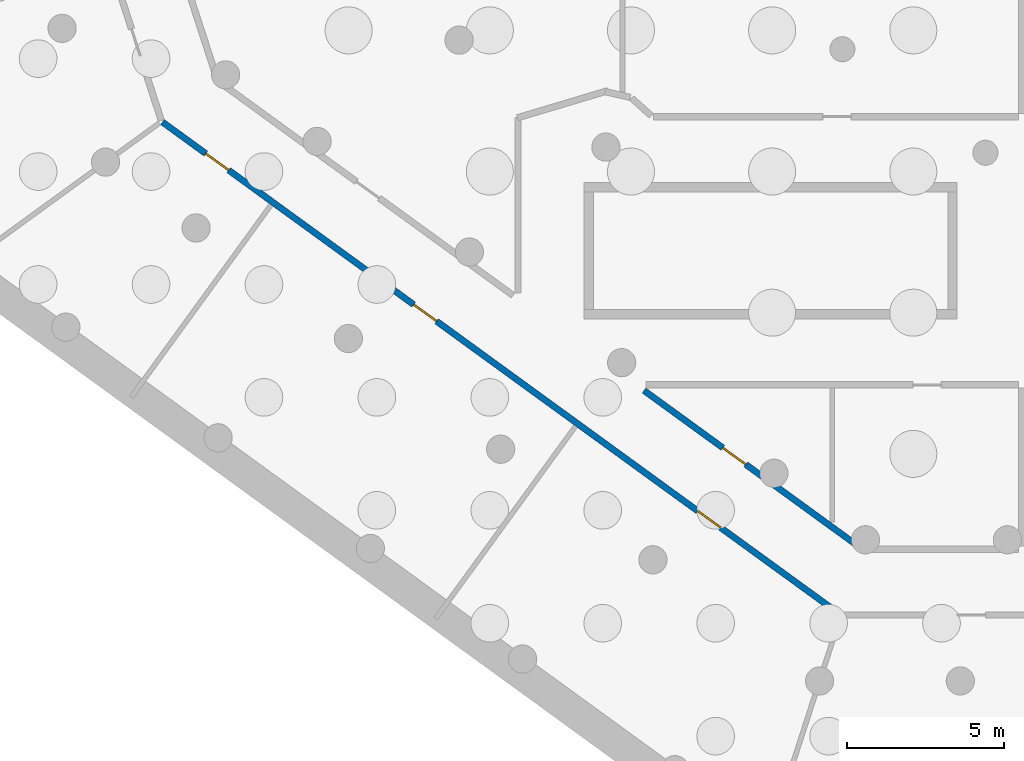
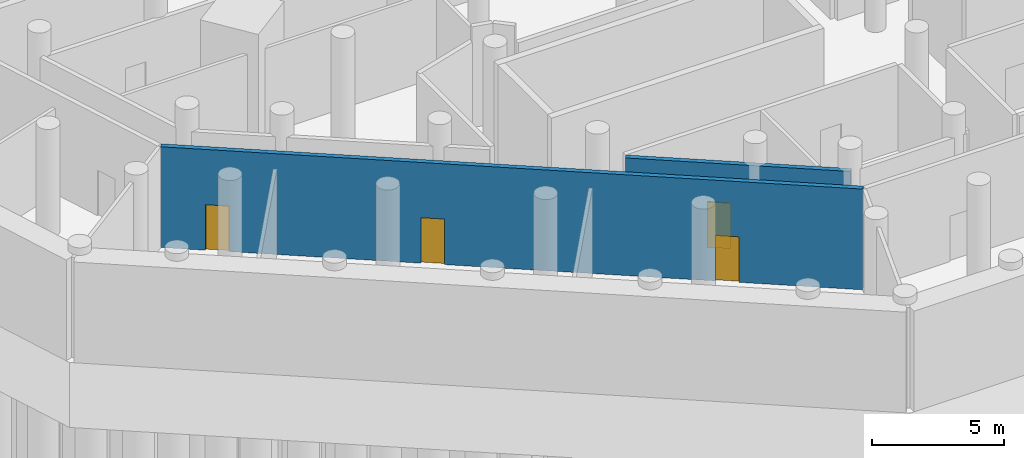
# One storey, part 3 of 12: 4 doors, 2 walls, 4 openings.
"""IFC4 building model written with IfcOpenShell, lengths in metres."""

from ifc_helpers import new_model, si_unit, direction, frame, frame_2d, origin, place, context, subcontext, project, spatial, rectangle, extrude, material, layer, layer_set, type_object, element, fill, save


model = new_model("IFC4")

# Units and contexts
model_context = context("Model", 3, precision=1e-05, world=origin(), true_north=direction((0.0, 1.0)))
body_context = subcontext(model_context, "Body", "Model", "MODEL_VIEW")
ifc_project = project(units=[si_unit("LENGTHUNIT", "METRE"), si_unit("AREAUNIT", "SQUARE_METRE"), si_unit("VOLUMEUNIT", "CUBIC_METRE"), si_unit("PLANEANGLEUNIT", "RADIAN"), si_unit("MASSUNIT", "GRAM", prefix="KILO")], contexts=[model_context])

# Site, building, storey
site_placement = place(None, origin())
site = spatial("IfcSite", under=ifc_project, at=site_placement, CompositionType="ELEMENT")
building_placement = place(site_placement, origin())
building = spatial("IfcBuilding", under=site, at=building_placement, Name="White Candle Pilgrim Tower", CompositionType="ELEMENT")
storey_placement = place(building_placement, frame((0.0, 0.0, -10.0)))
storey = spatial("IfcBuildingStorey", under=building, at=storey_placement, Name="B2", CompositionType="ELEMENT", Elevation=-10.0)

# Wall, openings, doors
ifc_material_1 = material(Name="Gypsum board on steel studs", Category="steel")
ifc_layer = layer(ifc_material_1, 0.199951171875)
ifc_layer_set = layer_set([ifc_layer], Name="Corridor wall 200 mm EI 45")
wall_type = type_object("IfcWallType", Name="Corridor wall 200 mm EI 45", PredefinedType="PARTITIONING", material=ifc_layer_set)
wall_1_placement = place(storey_placement, frame((63.170166015625, 31.880126953125, 0.0), z_axis=(0.0, 0.0, 1.0), x_axis=(-0.809016646189, 0.587785731529, 0.0)))
wall_1 = element("IfcWall", 1, at=wall_1_placement, inside=storey, type_object=wall_type, Name="WL-B2-P023", PredefinedType="PARTITIONING", context=body_context, shape_type="SweptSolid", body=[
    extrude(rectangle(XDim=26.708251953125, YDim=0.199951171875, at=frame_2d((13.35400390625, 0.0))), origin(), (0.0, 0.0, 1.0), 4.64990234375),
])
opening_1_placement = place(wall_1_placement, frame((24.097412109375, 0.0, 0.0)))
opening_1 = element("IfcOpeningElement", 2, at=opening_1_placement, cuts=wall_1, Name="Opening B2-107", PredefinedType="OPENING", context=body_context, shape_type="SweptSolid", body=[
    extrude(rectangle(XDim=0.89990234375, YDim=2.10009765625, at=frame_2d((0.449951171875, 1.050048828125))), frame((0.0, 0.10986328125, 0.0), z_axis=(0.0, -1.0, 0.0), x_axis=(1.0, 0.0, 0.0)), (0.0, 0.0, 1.0), 0.219970703125),
])
opening_2_placement = place(wall_1_placement, frame((15.904052734375, 0.0, 0.0)))
opening_2 = element("IfcOpeningElement", 3, at=opening_2_placement, cuts=wall_1, Name="Opening B2-108", PredefinedType="OPENING", context=body_context, shape_type="SweptSolid", body=[
    extrude(rectangle(XDim=0.89990234375, YDim=2.10009765625, at=frame_2d((0.449951171875, 1.050048828125))), frame((0.0, 0.10986328125, 0.0), z_axis=(0.0, -1.0, 0.0), x_axis=(1.0, 0.0, 0.0)), (0.0, 0.0, 1.0), 0.219970703125),
])
opening_3_placement = place(wall_1_placement, frame((4.710693359375, 0.0, 0.0)))
opening_3 = element("IfcOpeningElement", 4, at=opening_3_placement, cuts=wall_1, Name="Opening B2-109", PredefinedType="OPENING", context=body_context, shape_type="SweptSolid", body=[
    extrude(rectangle(XDim=0.89990234375, YDim=2.10009765625, at=frame_2d((0.449951171875, 1.050048828125))), frame((0.0, 0.10986328125, 0.0), z_axis=(0.0, -1.0, 0.0), x_axis=(1.0, 0.0, 0.0)), (0.0, 0.0, 1.0), 0.219970703125),
])
ifc_material_2 = material(Name="Steel door leaf", Category="steel")
door_type = type_object("IfcDoorType", Name="Fire door 900 x 2100 EI 30", OperationType="NOTDEFINED", PredefinedType="DOOR", material=ifc_material_2)
door_1_placement = place(opening_1_placement, origin())
door_1 = element("IfcDoor", 5, at=door_1_placement, inside=storey, type_object=door_type, Name="Door B2-107", OperationType="SINGLE_SWING_LEFT", OverallHeight=2.10009765625, OverallWidth=0.89990234375, PredefinedType="DOOR", context=body_context, shape_type="SweptSolid", body=[
    extrude(rectangle(XDim=0.89990234375, YDim=2.10009765625, at=frame_2d((0.449951171875, 1.050048828125))), frame((0.0, 0.02490234375, 0.0), z_axis=(0.0, -1.0, 0.0), x_axis=(1.0, 0.0, 0.0)), (0.0, 0.0, 1.0), 0.050048828125),
])
fill(opening_1, door_1)
door_2_placement = place(opening_2_placement, origin())
door_2 = element("IfcDoor", 6, at=door_2_placement, inside=storey, type_object=door_type, Name="Door B2-108", OperationType="SINGLE_SWING_RIGHT", OverallHeight=2.10009765625, OverallWidth=0.89990234375, PredefinedType="DOOR", context=body_context, shape_type="SweptSolid", body=[
    extrude(rectangle(XDim=0.89990234375, YDim=2.10009765625, at=frame_2d((0.449951171875, 1.050048828125))), frame((0.0, 0.02490234375, 0.0), z_axis=(0.0, -1.0, 0.0), x_axis=(1.0, 0.0, 0.0)), (0.0, 0.0, 1.0), 0.050048828125),
])
fill(opening_2, door_2)
door_3_placement = place(opening_3_placement, origin())
door_3 = element("IfcDoor", 7, at=door_3_placement, inside=storey, type_object=door_type, Name="Door B2-109", OperationType="SINGLE_SWING_LEFT", OverallHeight=2.10009765625, OverallWidth=0.89990234375, PredefinedType="DOOR", context=body_context, shape_type="SweptSolid", body=[
    extrude(rectangle(XDim=0.89990234375, YDim=2.10009765625, at=frame_2d((0.449951171875, 1.050048828125))), frame((0.0, 0.02490234375, 0.0), z_axis=(0.0, -1.0, 0.0), x_axis=(1.0, 0.0, 0.0)), (0.0, 0.0, 1.0), 0.050048828125),
])
fill(opening_3, door_3)

# Wall, opening, door
wall_2_placement = place(storey_placement, frame((56.9169921875, 39.01904296875, 0.0), z_axis=(0.0, 0.0, 1.0), x_axis=(0.809015553327, -0.58778723572, 0.0)))
wall_2 = element("IfcWall", 8, at=wall_2_placement, inside=storey, type_object=wall_type, Name="WL-B2-P057", PredefinedType="PARTITIONING", context=body_context, shape_type="SweptSolid", body=[
    extrude(rectangle(XDim=8.572509765625, YDim=0.199951171875, at=frame_2d((4.2861328125, 0.0))), origin(), (0.0, 0.0, 1.0), 3.949951171875),
])
opening_4_placement = place(wall_2_placement, frame((3.106689453125, 0.0, 0.0)))
opening_4 = element("IfcOpeningElement", 9, at=opening_4_placement, cuts=wall_2, Name="Opening B2-134", PredefinedType="OPENING", context=body_context, shape_type="SweptSolid", body=[
    extrude(rectangle(XDim=0.89990234375, YDim=2.10009765625, at=frame_2d((0.449951171875, 1.050048828125))), frame((0.0, 0.10986328125, 0.0), z_axis=(0.0, -1.0, 0.0), x_axis=(1.0, 0.0, 0.0)), (0.0, 0.0, 1.0), 0.219970703125),
])
door_4_placement = place(opening_4_placement, origin())
door_4 = element("IfcDoor", 10, at=door_4_placement, inside=storey, type_object=door_type, Name="Door B2-134", OperationType="SINGLE_SWING_RIGHT", OverallHeight=2.10009765625, OverallWidth=0.89990234375, PredefinedType="DOOR", context=body_context, shape_type="SweptSolid", body=[
    extrude(rectangle(XDim=0.89990234375, YDim=2.10009765625, at=frame_2d((0.449951171875, 1.050048828125))), frame((0.0, 0.02490234375, 0.0), z_axis=(0.0, -1.0, 0.0), x_axis=(1.0, 0.0, 0.0)), (0.0, 0.0, 1.0), 0.050048828125),
])
fill(opening_4, door_4)

save(model, "model.ifc")
